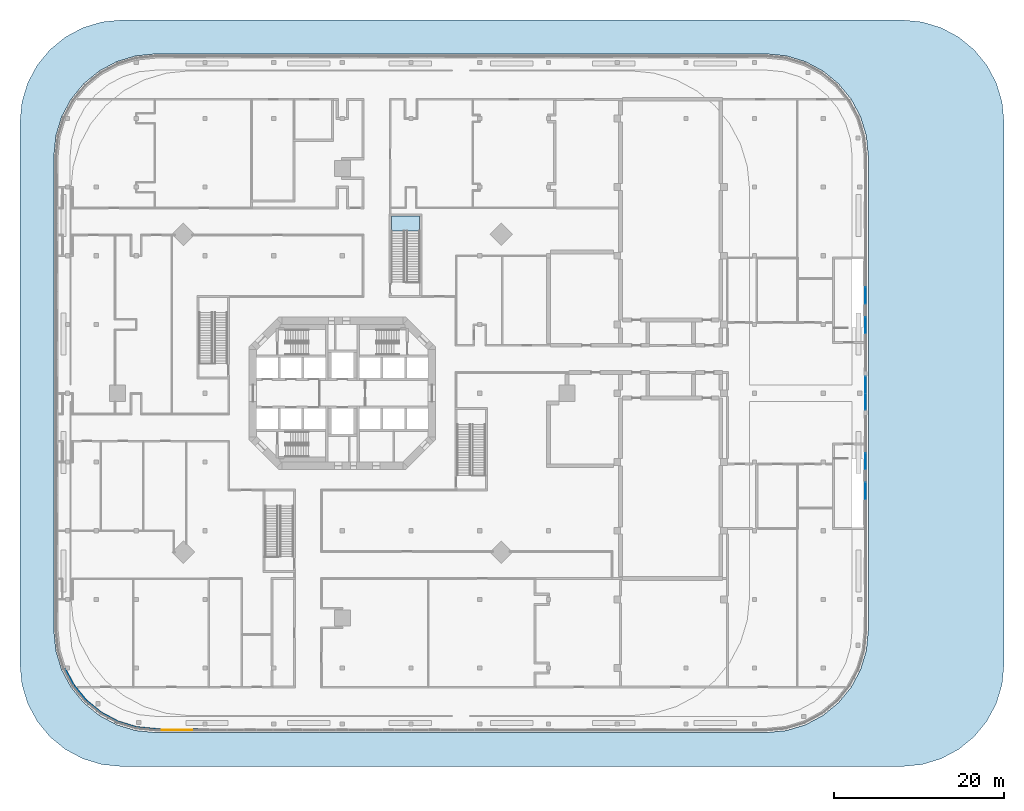
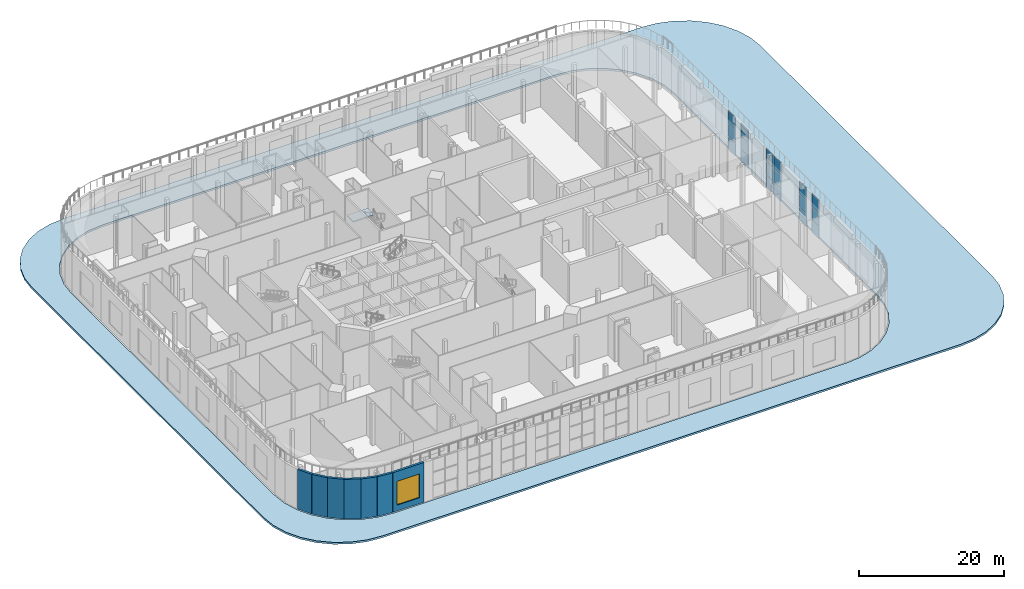
# One storey, part 5 of 21: 18 plates, 7 walls, 2 slabs, 1 window, 1 opening, 6 elements without a shape of their own.
"""IFC4 building model written with IfcOpenShell, lengths in metres."""

from ifc_helpers import new_model, si_unit, direction, frame, frame_2d, origin, origin_2d, place, context, subcontext, project, spatial, polyline, rectangle, outline, extrude, material, layer, layer_set, type_object, element, fill, aggregate, save


model = new_model("IFC4")

# Units and contexts
model_context = context("Model", 3, precision=1e-05, world=origin(), true_north=direction((0.0, 1.0)))
body_context = subcontext(model_context, "Body", "Model", "MODEL_VIEW")
ifc_project = project(units=[si_unit("LENGTHUNIT", "METRE"), si_unit("AREAUNIT", "SQUARE_METRE"), si_unit("VOLUMEUNIT", "CUBIC_METRE"), si_unit("PLANEANGLEUNIT", "RADIAN"), si_unit("MASSUNIT", "GRAM", prefix="KILO")], contexts=[model_context])

# Site, building, storey
site_placement = place(None, origin())
site = spatial("IfcSite", under=ifc_project, at=site_placement, CompositionType="ELEMENT")
building_placement = place(site_placement, origin())
building = spatial("IfcBuilding", under=site, at=building_placement, Name="Torre Triforio", CompositionType="ELEMENT")
storey_placement = place(building_placement, frame((0.0, 0.0, 6.0)))
storey = spatial("IfcBuildingStorey", under=building, at=storey_placement, Name="L01", CompositionType="ELEMENT", Elevation=6.0)

# Curtain wall, plates
ifc_material_1 = material(Name="Aluminium mullion and transom frame with clear laminated glass", Category="aluminium")
curtain_wall_type = type_object("IfcCurtainWallType", Name="Terrace lounge curtain wall ECW5", PredefinedType="NOTDEFINED", material=ifc_material_1)
curtain_wall_1_placement = place(storey_placement, origin())
curtain_wall_1 = element("IfcCurtainWall", 1, at=curtain_wall_1_placement, inside=storey, type_object=curtain_wall_type, Name="Terrace lounge curtain wall L01 09.1.2.1", PredefinedType="NOTDEFINED")
ifc_material_2 = material(Name="Clear laminated glass", Category="glass")
ifc_layer_1 = layer(ifc_material_2, 0.02587890625)
ifc_layer_set_1 = layer_set([ifc_layer_1], Name="Clear laminated glass")
plate_type = type_object("IfcPlateType", Name="ECW5 glass panel 26", PredefinedType="CURTAIN_PANEL", material=ifc_layer_set_1)
plate_1_placement = place(storey_placement, frame((61.675048828125, -11.520751953125, 0.06005859375), z_axis=(0.0, 0.0, 1.0), x_axis=(0.0, 1.0, 0.0)))
plate_1 = element("IfcPlate", 2, at=plate_1_placement, type_object=plate_type, Name="ECW5 panel 1.1", PredefinedType="CURTAIN_PANEL", context=body_context, shape_type="SweptSolid", body=[
    extrude(rectangle(XDim=1.9150390625, YDim=0.02587890625, at=origin_2d()), origin(), (0.0, 0.0, 1.0), 2.13671875),
])
plate_2_placement = place(storey_placement, frame((61.675048828125, -11.520751953125, 2.2568359375), z_axis=(0.0, 0.0, 1.0), x_axis=(0.0, 1.0, 0.0)))
plate_2 = element("IfcPlate", 3, at=plate_2_placement, type_object=plate_type, Name="ECW5 panel 1.2", PredefinedType="CURTAIN_PANEL", context=body_context, shape_type="SweptSolid", body=[
    extrude(rectangle(XDim=1.9150390625, YDim=0.02587890625, at=origin_2d()), origin(), (0.0, 0.0, 1.0), 2.16650390625),
])
plate_3_placement = place(storey_placement, frame((61.675048828125, -11.520751953125, 4.4833984375), z_axis=(0.0, 0.0, 1.0), x_axis=(0.0, 1.0, 0.0)))
plate_3 = element("IfcPlate", 4, at=plate_3_placement, type_object=plate_type, Name="ECW5 panel 1.3", PredefinedType="CURTAIN_PANEL", context=body_context, shape_type="SweptSolid", body=[
    extrude(rectangle(XDim=1.9150390625, YDim=0.02587890625, at=origin_2d()), origin(), (0.0, 0.0, 1.0), 2.13671875),
])
aggregate(curtain_wall_1, [plate_1, plate_2, plate_3])

curtain_wall_2_placement = place(storey_placement, origin())
curtain_wall_2 = element("IfcCurtainWall", 5, at=curtain_wall_2_placement, inside=storey, type_object=curtain_wall_type, Name="Terrace lounge curtain wall L01 09.1.2.2", PredefinedType="NOTDEFINED")
plate_4_placement = place(storey_placement, frame((61.675048828125, -8.029296875, 0.06005859375), z_axis=(0.0, 0.0, 1.0), x_axis=(0.0, 1.0, 0.0)))
plate_4 = element("IfcPlate", 6, at=plate_4_placement, type_object=plate_type, Name="ECW5 panel 1.1", PredefinedType="CURTAIN_PANEL", context=body_context, shape_type="SweptSolid", body=[
    extrude(rectangle(XDim=1.9150390625, YDim=0.02587890625, at=origin_2d()), origin(), (0.0, 0.0, 1.0), 2.13671875),
])
plate_5_placement = place(storey_placement, frame((61.675048828125, -8.029296875, 2.2568359375), z_axis=(0.0, 0.0, 1.0), x_axis=(0.0, 1.0, 0.0)))
plate_5 = element("IfcPlate", 7, at=plate_5_placement, type_object=plate_type, Name="ECW5 panel 1.2", PredefinedType="CURTAIN_PANEL", context=body_context, shape_type="SweptSolid", body=[
    extrude(rectangle(XDim=1.9150390625, YDim=0.02587890625, at=origin_2d()), origin(), (0.0, 0.0, 1.0), 2.16650390625),
])
plate_6_placement = place(storey_placement, frame((61.675048828125, -8.029296875, 4.4833984375), z_axis=(0.0, 0.0, 1.0), x_axis=(0.0, 1.0, 0.0)))
plate_6 = element("IfcPlate", 8, at=plate_6_placement, type_object=plate_type, Name="ECW5 panel 1.3", PredefinedType="CURTAIN_PANEL", context=body_context, shape_type="SweptSolid", body=[
    extrude(rectangle(XDim=1.9150390625, YDim=0.02587890625, at=origin_2d()), origin(), (0.0, 0.0, 1.0), 2.13671875),
])
aggregate(curtain_wall_2, [plate_4, plate_5, plate_6])

curtain_wall_3_placement = place(storey_placement, origin())
curtain_wall_3 = element("IfcCurtainWall", 9, at=curtain_wall_3_placement, inside=storey, type_object=curtain_wall_type, Name="Terrace lounge curtain wall L01 09.3.1.1", PredefinedType="NOTDEFINED")
plate_7_placement = place(storey_placement, frame((61.675048828125, -0.998779296875, 0.06005859375), z_axis=(0.0, 0.0, 1.0), x_axis=(0.0, 1.0, 0.0)))
plate_7 = element("IfcPlate", 10, at=plate_7_placement, type_object=plate_type, Name="ECW5 panel 1.1", PredefinedType="CURTAIN_PANEL", context=body_context, shape_type="SweptSolid", body=[
    extrude(rectangle(XDim=1.9423828125, YDim=0.02587890625, at=origin_2d()), origin(), (0.0, 0.0, 1.0), 2.13671875),
])
plate_8_placement = place(storey_placement, frame((61.675048828125, -0.998779296875, 2.2568359375), z_axis=(0.0, 0.0, 1.0), x_axis=(0.0, 1.0, 0.0)))
plate_8 = element("IfcPlate", 11, at=plate_8_placement, type_object=plate_type, Name="ECW5 panel 1.2", PredefinedType="CURTAIN_PANEL", context=body_context, shape_type="SweptSolid", body=[
    extrude(rectangle(XDim=1.9423828125, YDim=0.02587890625, at=origin_2d()), origin(), (0.0, 0.0, 1.0), 2.16650390625),
])
plate_9_placement = place(storey_placement, frame((61.675048828125, -0.998779296875, 4.4833984375), z_axis=(0.0, 0.0, 1.0), x_axis=(0.0, 1.0, 0.0)))
plate_9 = element("IfcPlate", 12, at=plate_9_placement, type_object=plate_type, Name="ECW5 panel 1.3", PredefinedType="CURTAIN_PANEL", context=body_context, shape_type="SweptSolid", body=[
    extrude(rectangle(XDim=1.9423828125, YDim=0.02587890625, at=origin_2d()), origin(), (0.0, 0.0, 1.0), 2.13671875),
])
plate_10_placement = place(storey_placement, frame((61.675048828125, 0.998779296875, 0.06005859375), z_axis=(0.0, 0.0, 1.0), x_axis=(0.0, 1.0, 0.0)))
plate_10 = element("IfcPlate", 13, at=plate_10_placement, type_object=plate_type, Name="ECW5 panel 2.1", PredefinedType="CURTAIN_PANEL", context=body_context, shape_type="SweptSolid", body=[
    extrude(rectangle(XDim=1.9423828125, YDim=0.02587890625, at=origin_2d()), origin(), (0.0, 0.0, 1.0), 2.13671875),
])
plate_11_placement = place(storey_placement, frame((61.675048828125, 0.998779296875, 2.2568359375), z_axis=(0.0, 0.0, 1.0), x_axis=(0.0, 1.0, 0.0)))
plate_11 = element("IfcPlate", 14, at=plate_11_placement, type_object=plate_type, Name="ECW5 panel 2.2", PredefinedType="CURTAIN_PANEL", context=body_context, shape_type="SweptSolid", body=[
    extrude(rectangle(XDim=1.9423828125, YDim=0.02587890625, at=origin_2d()), origin(), (0.0, 0.0, 1.0), 2.16650390625),
])
plate_12_placement = place(storey_placement, frame((61.675048828125, 0.998779296875, 4.4833984375), z_axis=(0.0, 0.0, 1.0), x_axis=(0.0, 1.0, 0.0)))
plate_12 = element("IfcPlate", 15, at=plate_12_placement, type_object=plate_type, Name="ECW5 panel 2.3", PredefinedType="CURTAIN_PANEL", context=body_context, shape_type="SweptSolid", body=[
    extrude(rectangle(XDim=1.9423828125, YDim=0.02587890625, at=origin_2d()), origin(), (0.0, 0.0, 1.0), 2.13671875),
])
aggregate(curtain_wall_3, [plate_7, plate_8, plate_9, plate_10, plate_11, plate_12])

curtain_wall_4_placement = place(storey_placement, origin())
curtain_wall_4 = element("IfcCurtainWall", 16, at=curtain_wall_4_placement, inside=storey, type_object=curtain_wall_type, Name="Terrace lounge curtain wall L01 09.5.1.1", PredefinedType="NOTDEFINED")
plate_13_placement = place(storey_placement, frame((61.675048828125, 8.029296875, 0.06005859375), z_axis=(0.0, 0.0, 1.0), x_axis=(0.0, 1.0, 0.0)))
plate_13 = element("IfcPlate", 17, at=plate_13_placement, type_object=plate_type, Name="ECW5 panel 1.1", PredefinedType="CURTAIN_PANEL", context=body_context, shape_type="SweptSolid", body=[
    extrude(rectangle(XDim=1.9150390625, YDim=0.02587890625, at=origin_2d()), origin(), (0.0, 0.0, 1.0), 2.13671875),
])
plate_14_placement = place(storey_placement, frame((61.675048828125, 8.029296875, 2.2568359375), z_axis=(0.0, 0.0, 1.0), x_axis=(0.0, 1.0, 0.0)))
plate_14 = element("IfcPlate", 18, at=plate_14_placement, type_object=plate_type, Name="ECW5 panel 1.2", PredefinedType="CURTAIN_PANEL", context=body_context, shape_type="SweptSolid", body=[
    extrude(rectangle(XDim=1.9150390625, YDim=0.02587890625, at=origin_2d()), origin(), (0.0, 0.0, 1.0), 2.16650390625),
])
plate_15_placement = place(storey_placement, frame((61.675048828125, 8.029296875, 4.4833984375), z_axis=(0.0, 0.0, 1.0), x_axis=(0.0, 1.0, 0.0)))
plate_15 = element("IfcPlate", 19, at=plate_15_placement, type_object=plate_type, Name="ECW5 panel 1.3", PredefinedType="CURTAIN_PANEL", context=body_context, shape_type="SweptSolid", body=[
    extrude(rectangle(XDim=1.9150390625, YDim=0.02587890625, at=origin_2d()), origin(), (0.0, 0.0, 1.0), 2.13671875),
])
aggregate(curtain_wall_4, [plate_13, plate_14, plate_15])

curtain_wall_5_placement = place(storey_placement, origin())
curtain_wall_5 = element("IfcCurtainWall", 20, at=curtain_wall_5_placement, inside=storey, type_object=curtain_wall_type, Name="Terrace lounge curtain wall L01 09.5.1.2", PredefinedType="NOTDEFINED")
plate_16_placement = place(storey_placement, frame((61.675048828125, 11.520751953125, 0.06005859375), z_axis=(0.0, 0.0, 1.0), x_axis=(0.0, 1.0, 0.0)))
plate_16 = element("IfcPlate", 21, at=plate_16_placement, type_object=plate_type, Name="ECW5 panel 1.1", PredefinedType="CURTAIN_PANEL", context=body_context, shape_type="SweptSolid", body=[
    extrude(rectangle(XDim=1.9150390625, YDim=0.02587890625, at=origin_2d()), origin(), (0.0, 0.0, 1.0), 2.13671875),
])
plate_17_placement = place(storey_placement, frame((61.675048828125, 11.520751953125, 2.2568359375), z_axis=(0.0, 0.0, 1.0), x_axis=(0.0, 1.0, 0.0)))
plate_17 = element("IfcPlate", 22, at=plate_17_placement, type_object=plate_type, Name="ECW5 panel 1.2", PredefinedType="CURTAIN_PANEL", context=body_context, shape_type="SweptSolid", body=[
    extrude(rectangle(XDim=1.9150390625, YDim=0.02587890625, at=origin_2d()), origin(), (0.0, 0.0, 1.0), 2.16650390625),
])
plate_18_placement = place(storey_placement, frame((61.675048828125, 11.520751953125, 4.4833984375), z_axis=(0.0, 0.0, 1.0), x_axis=(0.0, 1.0, 0.0)))
plate_18 = element("IfcPlate", 23, at=plate_18_placement, type_object=plate_type, Name="ECW5 panel 1.3", PredefinedType="CURTAIN_PANEL", context=body_context, shape_type="SweptSolid", body=[
    extrude(rectangle(XDim=1.9150390625, YDim=0.02587890625, at=origin_2d()), origin(), (0.0, 0.0, 1.0), 2.13671875),
])
aggregate(curtain_wall_5, [plate_16, plate_17, plate_18])

# Stair, slab
ifc_material_3 = material(Name="Concrete C40", Category="concrete")
stair_type = type_object("IfcStairType", Name="Egress stair 1400 clear", PredefinedType="NOTDEFINED", material=ifc_material_3)
stair_placement = place(storey_placement, origin())
stair = element("IfcStair", 24, at=stair_placement, inside=storey, type_object=stair_type, Name="Exit stair PS4 L01 to L02", PredefinedType="NOTDEFINED")
ifc_layer_2 = layer(ifc_material_3, 0.199951171875)
ifc_layer_set_2 = layer_set([ifc_layer_2], Name="Concrete C40")
slab_type_1 = type_object("IfcSlabType", Name="Egress stair landing 200", PredefinedType="LANDING", material=ifc_layer_set_2)
slab_1_placement = place(storey_placement, frame((0.0, 0.0, 3.300048828125)))
slab_1 = element("IfcSlab", 25, at=slab_1_placement, type_object=slab_type_1, Name="PS4 landing 1", PredefinedType="LANDING", context=body_context, shape_type="SweptSolid", body=[
    extrude(outline(polyline([(5.77490234375, 19.125), (9.125, 19.125), (9.125, 20.875), (5.77490234375, 20.875), (5.77490234375, 19.125)])), origin(), (0.0, 0.0, 1.0), 0.199951171875),
])
aggregate(stair, [slab_1])

# Slab
ifc_material_4 = material(Name="Concrete C50", Category="concrete")
ifc_layer_3 = layer(ifc_material_4, 0.320068359375)
ifc_layer_set_3 = layer_set([ifc_layer_3], Name="Concrete C50")
slab_type_2 = type_object("IfcSlabType", Name="Terrace slab 320 C50", PredefinedType="FLOOR", material=ifc_layer_set_3)
slab_2_placement = place(storey_placement, frame((0.0, 0.0, -0.320068359375)))
element("IfcSlab", 26, at=slab_2_placement, inside=storey, type_object=slab_type_2, Name="SL.T1", PredefinedType="FLOOR", context=body_context, shape_type="SweptSolid", body=[
    extrude(outline(polyline([(-28.341064453125, -43.76953125), (-26.0, -44.0), (66.0, -44.0), (68.341064453125, -43.76953125), (70.59228515625, -43.086669921875), (72.666748046875, -41.9775390625), (74.4853515625, -40.4853515625), (75.9775390625, -38.666748046875), (77.086669921875, -36.59228515625), (77.76953125, -34.341064453125), (78.0, -32.0), (78.0, 32.0), (77.76953125, 34.341064453125), (77.086669921875, 36.59228515625), (75.9775390625, 38.666748046875), (74.4853515625, 40.4853515625), (72.666748046875, 41.9775390625), (70.59228515625, 43.086669921875), (68.341064453125, 43.76953125), (66.0, 44.0), (-26.0, 44.0), (-28.341064453125, 43.76953125), (-30.59228515625, 43.086669921875), (-32.666748046875, 41.9775390625), (-34.4853515625, 40.4853515625), (-35.9775390625, 38.666748046875), (-37.086669921875, 36.59228515625), (-37.76953125, 34.341064453125), (-38.0, 32.0), (-38.0, -32.0), (-37.76953125, -34.341064453125), (-37.086669921875, -36.59228515625), (-35.9775390625, -38.666748046875), (-34.4853515625, -40.4853515625), (-32.666748046875, -41.9775390625), (-30.59228515625, -43.086669921875), (-28.341064453125, -43.76953125)]), holes=[polyline([(54.59228515625, -39.086669921875), (52.341064453125, -39.76953125), (50.0, -40.0), (-22.0, -40.0), (-24.341064453125, -39.76953125), (-26.59228515625, -39.086669921875), (-28.666748046875, -37.9775390625), (-30.4853515625, -36.4853515625), (-31.9775390625, -34.666748046875), (-33.086669921875, -32.59228515625), (-33.76953125, -30.341064453125), (-34.0, -28.0), (-34.0, 28.0), (-33.76953125, 30.341064453125), (-33.086669921875, 32.59228515625), (-31.9775390625, 34.666748046875), (-30.4853515625, 36.4853515625), (-28.666748046875, 37.9775390625), (-26.59228515625, 39.086669921875), (-24.341064453125, 39.76953125), (-22.0, 40.0), (50.0, 40.0), (52.341064453125, 39.76953125), (54.59228515625, 39.086669921875), (56.666748046875, 37.9775390625), (58.4853515625, 36.4853515625), (59.9775390625, 34.666748046875), (61.086669921875, 32.59228515625), (61.76953125, 30.341064453125), (62.0, 28.0), (62.0, -28.0), (61.76953125, -30.341064453125), (61.086669921875, -32.59228515625), (59.9775390625, -34.666748046875), (58.4853515625, -36.4853515625), (56.666748046875, -37.9775390625), (54.59228515625, -39.086669921875)])]), origin(), (0.0, 0.0, 1.0), 0.320068359375),
])

# Walls
ifc_material_5 = material(Name="Limestone cladding", Category="masonry")
ifc_layer_4 = layer(ifc_material_5, 0.10009765625)
ifc_layer_5 = layer(ifc_material_3, 0.25)
ifc_layer_set_4 = layer_set([ifc_layer_4, ifc_layer_5], Name="Limestone cladding / Concrete C40")
wall_type = type_object("IfcWallType", Name="Stone-clad podium wall 350", PredefinedType="STANDARD", material=ifc_layer_set_4)
for number, where, z_axis, x_axis, name in (
    (27, (-32.784912109375, -32.46728515625, 0.0), (0.0, 0.0, 1.0), (0.47145739061, -0.881888841544, 0.0), "External wall L01 e29.0.w0"),
    (28, (-31.7060546875, -34.4853515625, 0.0), (0.0, 0.0, 1.0), (0.634352578082, -0.773043858187, 0.0), "External wall L01 e30.0.w0"),
    (29, (-30.25439453125, -36.25439453125, 0.0), (0.0, 0.0, 1.0), (0.773043858187, -0.634352578082, 0.0), "External wall L01 e31.0.w0"),
    (30, (-28.4853515625, -37.7060546875, 0.0), (0.0, 0.0, 1.0), (0.881888841544, -0.47145739061, 0.0), "External wall L01 e32.0.w0"),
):
    element("IfcWall", number, at=place(storey_placement, frame(where, z_axis=z_axis, x_axis=x_axis)), inside=storey, type_object=wall_type, Name=name, PredefinedType="STANDARD", context=body_context, shape_type="SweptSolid", body=[
        extrude(rectangle(XDim=2.288330078125, YDim=0.35009765625, at=frame_2d((1.14404296875, 0.0))), origin(), (0.0, 0.0, 1.0), 6.679931640625),
    ])
wall_1_placement = place(storey_placement, frame((-26.46728515625, -38.784912109375, 0.0), z_axis=(0.0, 0.0, 1.0), x_axis=(0.956940921075, -0.29028274763, 0.0)))
element("IfcWall", 31, at=wall_1_placement, inside=storey, type_object=wall_type, Name="External wall L01 e33.0.w0", PredefinedType="STANDARD", context=body_context, shape_type="SweptSolid", body=[
    extrude(rectangle(XDim=2.28857421875, YDim=0.35009765625, at=frame_2d((1.144287109375, 0.0))), origin(), (0.0, 0.0, 1.0), 6.679931640625),
])
wall_2_placement = place(storey_placement, frame((-24.27734375, -39.44921875, 0.0), z_axis=(0.0, 0.0, 1.0), x_axis=(0.995187085002, -0.097993192849, 0.0)))
element("IfcWall", 32, at=wall_2_placement, inside=storey, type_object=wall_type, Name="External wall L01 e34.0.w0", PredefinedType="STANDARD", context=body_context, shape_type="SweptSolid", body=[
    extrude(rectangle(XDim=2.304443359375, YDim=0.35009765625, at=frame_2d((1.15234375, 0.0))), origin(), (0.0, 0.0, 1.0), 6.679931640625),
])

# Wall, opening, window
wall_3_placement = place(storey_placement, frame((-21.98388671875, -39.675048828125, 0.0), z_axis=(0.0, 0.0, 1.0), x_axis=(1.0, 0.0, 0.0)))
wall_3 = element("IfcWall", 33, at=wall_3_placement, inside=storey, type_object=wall_type, Name="External wall L01 e35.0.0.w0", PredefinedType="STANDARD", context=body_context, shape_type="SweptSolid", body=[
    extrude(rectangle(XDim=4.98388671875, YDim=0.35009765625, at=frame_2d((2.491943359375, 0.0))), origin(), (0.0, 0.0, 1.0), 6.679931640625),
])
opening_placement = place(wall_3_placement, frame((0.69189453125, 0.0, 1.0)))
opening = element("IfcOpeningElement", 34, at=opening_placement, cuts=wall_3, Name="Opening P1-W21", PredefinedType="OPENING", context=body_context, shape_type="SweptSolid", body=[
    extrude(rectangle(XDim=3.60009765625, YDim=4.0, at=frame_2d((1.800048828125, 2.0))), frame((0.0, 0.18505859375, 0.0), z_axis=(0.0, -1.0, 0.0), x_axis=(1.0, 0.0, 0.0)), (0.0, 0.0, 1.0), 0.3701171875),
])
ifc_material_6 = material(Name="Aluminium frame with clear double glazing", Category="aluminium")
window_type = type_object("IfcWindowType", Name="Podium window 3600 x 4000", PartitioningType="DOUBLE_PANEL_VERTICAL", PredefinedType="WINDOW", material=ifc_material_6)
window_placement = place(opening_placement, origin())
window = element("IfcWindow", 35, at=window_placement, inside=storey, type_object=window_type, Name="Window L01 e35.0.0.w0", OverallHeight=4.0, OverallWidth=3.60009765625, PartitioningType="SINGLE_PANEL", PredefinedType="WINDOW", context=body_context, shape_type="SweptSolid", body=[
    extrude(rectangle(XDim=3.60009765625, YDim=4.0, at=frame_2d((1.800048828125, 2.0))), frame((0.0, 0.030029296875, 0.0), z_axis=(0.0, -1.0, 0.0), x_axis=(1.0, 0.0, 0.0)), (0.0, 0.0, 1.0), 0.06005859375),
])
fill(opening, window)

save(model, "model.ifc")
